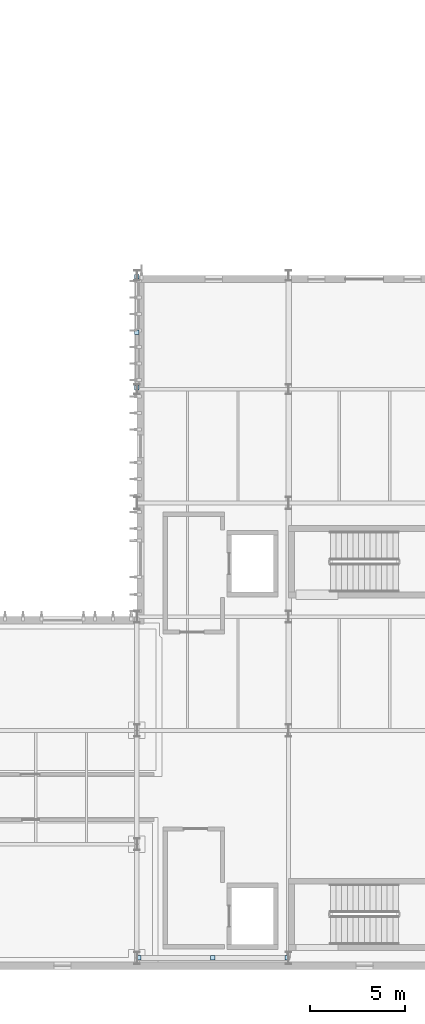
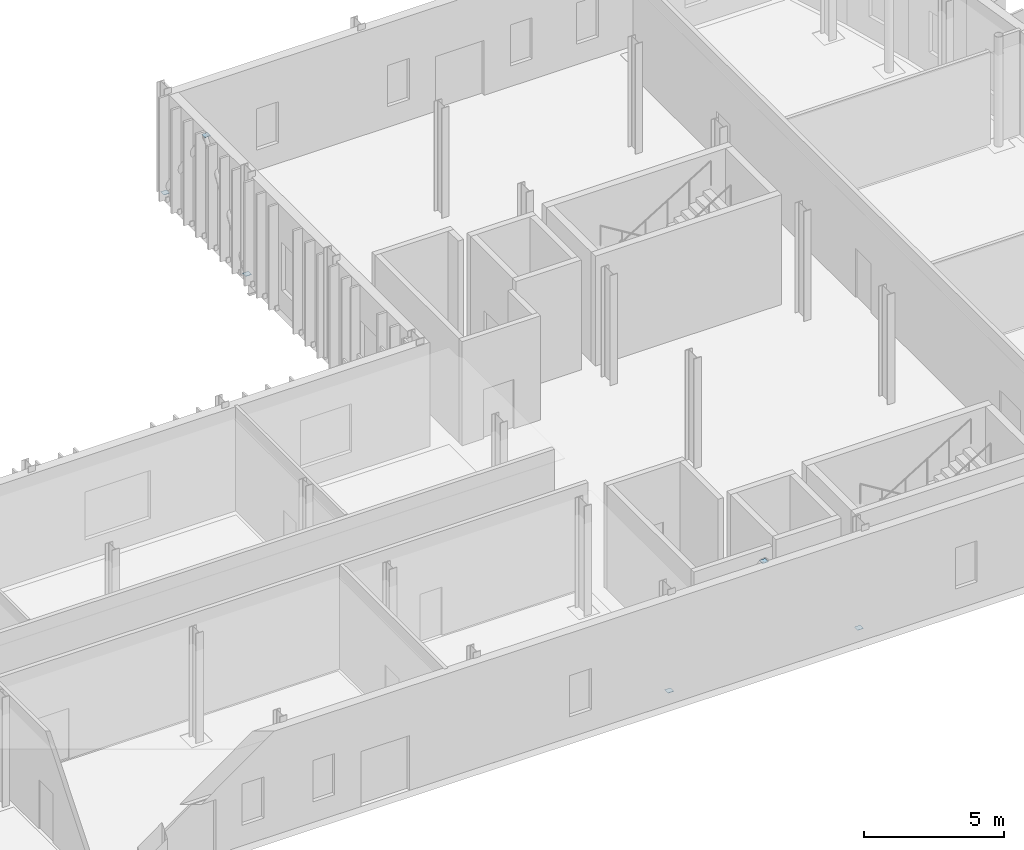
# One storey, part 20 of 60: 6 plates.
"""IFC4 building model written with IfcOpenShell, lengths in metres."""

from ifc_helpers import new_model, si_unit, direction, frame, origin, origin_2d, place, context, subcontext, project, spatial, rectangle, extrude, material, layer, layer_set, type_object, element, save


model = new_model("IFC4")

# Units and contexts
model_context = context("Model", 3, precision=1e-05, world=origin(), true_north=direction((0.0, 1.0)))
body_context = subcontext(model_context, "Body", "Model", "MODEL_VIEW")
ifc_project = project(units=[si_unit("LENGTHUNIT", "METRE"), si_unit("AREAUNIT", "SQUARE_METRE"), si_unit("VOLUMEUNIT", "CUBIC_METRE"), si_unit("PLANEANGLEUNIT", "RADIAN"), si_unit("MASSUNIT", "GRAM", prefix="KILO")], contexts=[model_context])

# Site, building, storey
site_placement = place(None, origin())
site = spatial("IfcSite", under=ifc_project, at=site_placement, CompositionType="ELEMENT")
building_placement = place(site_placement, origin())
building = spatial("IfcBuilding", under=site, at=building_placement, Name="Cymarion Research Institute", CompositionType="ELEMENT")
storey_placement = place(building_placement, origin())
storey = spatial("IfcBuildingStorey", under=building, at=storey_placement, Name="L00", CompositionType="ELEMENT", Elevation=0.0)

# Plates
ifc_material = material(Name="Steel S355", Category="steel")
ifc_layer = layer(ifc_material, 0.011962890625)
ifc_layer_set = layer_set([ifc_layer], Name="Steel S355")
plate_type = type_object("IfcPlateType", Name="STEEL NODE GUSSET PLATE CP02 12MM", PredefinedType="USERDEFINED", material=ifc_layer_set)
for number, where, z_axis, x_axis, name in (
    (1, (142.60009765625, 5.5, 4.40380859375), (0.0, 0.0, 1.0), (1.0, 0.0, 0.0), "L00 V1 chevron apex gusset plate"),
    (2, (138.681884765625, 5.5, 0.1142578125), (0.0, 0.0, 1.0), (1.0, 0.0, 0.0), "L00 V1 chevron base gusset plate #1"),
    (3, (146.518310546875, 5.5, 0.1142578125), (0.0, 0.0, 1.0), (1.0, 0.0, 0.0), "L00 V1 chevron base gusset plate #2"),
    (4, (138.60009765625, 38.5, 4.40380859375), (0.0, 0.0, 1.0), (1.0, 0.0, 0.0), "L00 V1 chevron apex gusset plate"),
    (5, (138.60009765625, 35.56884765625, 0.1142578125), (0.0, 0.0, 1.0), (1.0, 0.0, 0.0), "L00 V1 chevron base gusset plate #1"),
    (6, (138.60009765625, 41.43115234375, 0.1142578125), (0.0, 0.0, 1.0), (1.0, 0.0, 0.0), "L00 V1 chevron base gusset plate #2"),
):
    element("IfcPlate", number, at=place(storey_placement, frame(where, z_axis=z_axis, x_axis=x_axis)), inside=storey, type_object=plate_type, Name=name, ObjectType="GUSSET PLATE", PredefinedType="USERDEFINED", context=body_context, shape_type="SweptSolid", body=[
        extrude(rectangle(XDim=0.239990234375, YDim=0.239990234375, at=origin_2d()), origin(), (0.0, 0.0, 1.0), 0.011962890625),
    ])

save(model, "model.ifc")
